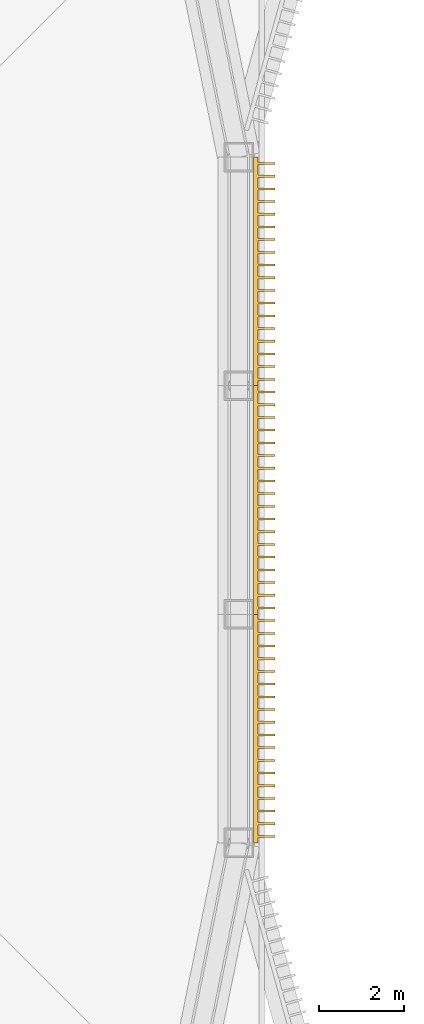
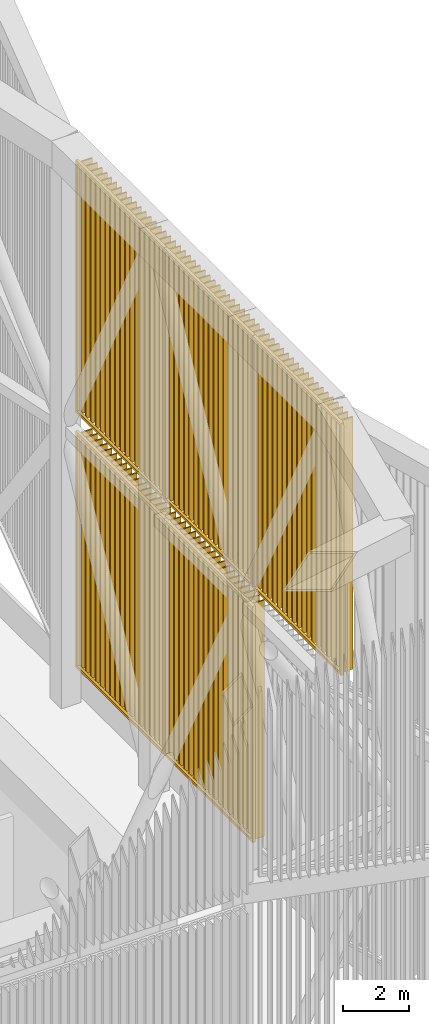
# One storey, part 9 of 13: 5 shading devices.
"""IFC4 building model written with IfcOpenShell, lengths in metres."""

from ifc_helpers import new_model, si_unit, direction, frame, origin, origin_2d, place, context, subcontext, project, spatial, rectangle, extrude, material, layer, layer_set, type_object, element, save


model = new_model("IFC4")

# Units and contexts
model_context = context("Model", 3, precision=1e-05, world=origin(), true_north=direction((0.0, 1.0)))
body_context = subcontext(model_context, "Body", "Model", "MODEL_VIEW")
ifc_project = project(units=[si_unit("LENGTHUNIT", "METRE"), si_unit("AREAUNIT", "SQUARE_METRE"), si_unit("VOLUMEUNIT", "CUBIC_METRE"), si_unit("PLANEANGLEUNIT", "RADIAN"), si_unit("MASSUNIT", "GRAM", prefix="KILO")], contexts=[model_context])

# Site, building, storey
site_placement = place(None, origin())
site = spatial("IfcSite", under=ifc_project, at=site_placement, CompositionType="ELEMENT")
building_placement = place(site_placement, origin())
building = spatial("IfcBuilding", under=site, at=building_placement, Name="Iwan Alto Co-Living Towers", CompositionType="ELEMENT")
storey_placement = place(building_placement, frame((0.0, 0.0, 267.5)))
storey = spatial("IfcBuildingStorey", under=building, at=storey_placement, Name="RF", CompositionType="ELEMENT", Elevation=267.5)

# Shading devices
ifc_material_1 = material(Name="Aluminium 6063-T6 bronze anodised", Category="aluminium")
ifc_layer_1 = layer(ifc_material_1, 0.39990234375, Name="Fins", Category="Finish")
ifc_material_2 = material(Name="Steel ASTM A36 galvanised frame", Category="steel")
ifc_layer_2 = layer(ifc_material_2, 0.10009765625, Name="Panel frame", Category="Framing")
ifc_layer_set = layer_set([ifc_layer_1, ifc_layer_2], Name="CROWN FIN SCREEN PANEL")
shading_device_type = type_object("IfcShadingDeviceType", Name="CROWN FIN SCREEN PANEL", PredefinedType="USERDEFINED", material=ifc_layer_set)
shading_device_1_placement = place(storey_placement, frame((0.0, 0.0, -267.5)))
element("IfcShadingDevice", 1, at=shading_device_1_placement, inside=storey, type_object=shading_device_type, Name="T1 crown fin screen E-01 upper", ObjectType="LOUVER", PredefinedType="USERDEFINED", context=body_context, shape_type="SweptSolid", body=[
    extrude(rectangle(XDim=5.39990234375, YDim=0.10009765625, at=origin_2d()), frame((16.300048828125, -5.39990234375, 278.099853515625), z_axis=(0.0, 0.0, 1.0), x_axis=(0.0, 1.0, 0.0)), (0.0, 0.0, 1.0), 0.10009765625),
    extrude(rectangle(XDim=5.39990234375, YDim=0.10009765625, at=origin_2d()), frame((16.300048828125, -5.39990234375, 287.39990234375), z_axis=(0.0, 0.0, 1.0), x_axis=(0.0, 1.0, 0.0)), (0.0, 0.0, 1.0), 0.10009765625),
    extrude(rectangle(XDim=0.10009765625, YDim=0.10009765625, at=origin_2d()), frame((16.300048828125, -8.050048828125, 278.195068359375), z_axis=(0.0, 0.0, 1.0), x_axis=(0.0, 1.0, 0.0)), (0.0, 0.0, 1.0), 9.2099609375),
    extrude(rectangle(XDim=0.10009765625, YDim=0.10009765625, at=origin_2d()), frame((16.300048828125, -2.75, 278.195068359375), z_axis=(0.0, 0.0, 1.0), x_axis=(0.0, 1.0, 0.0)), (0.0, 0.0, 1.0), 9.2099609375),
    extrude(rectangle(XDim=0.050048828125, YDim=0.405029296875, at=origin_2d()), frame((16.547607421875, -7.949951171875, 278.10009765625), z_axis=(0.0, 0.0, 1.0), x_axis=(0.0, 1.0, 0.0)), (0.0, 0.0, 1.0), 9.39990234375),
    extrude(rectangle(XDim=0.050048828125, YDim=0.405029296875, at=origin_2d()), frame((16.547607421875, -7.64990234375, 278.10009765625), z_axis=(0.0, 0.0, 1.0), x_axis=(0.0, 1.0, 0.0)), (0.0, 0.0, 1.0), 9.39990234375),
    extrude(rectangle(XDim=0.050048828125, YDim=0.405029296875, at=origin_2d()), frame((16.547607421875, -7.35009765625, 278.10009765625), z_axis=(0.0, 0.0, 1.0), x_axis=(0.0, 1.0, 0.0)), (0.0, 0.0, 1.0), 9.39990234375),
    extrude(rectangle(XDim=0.050048828125, YDim=0.405029296875, at=origin_2d()), frame((16.547607421875, -7.050048828125, 278.10009765625), z_axis=(0.0, 0.0, 1.0), x_axis=(0.0, 1.0, 0.0)), (0.0, 0.0, 1.0), 9.39990234375),
    extrude(rectangle(XDim=0.050048828125, YDim=0.405029296875, at=origin_2d()), frame((16.547607421875, -6.75, 278.10009765625), z_axis=(0.0, 0.0, 1.0), x_axis=(0.0, 1.0, 0.0)), (0.0, 0.0, 1.0), 9.39990234375),
    extrude(rectangle(XDim=0.050048828125, YDim=0.405029296875, at=origin_2d()), frame((16.547607421875, -6.449951171875, 278.10009765625), z_axis=(0.0, 0.0, 1.0), x_axis=(0.0, 1.0, 0.0)), (0.0, 0.0, 1.0), 9.39990234375),
    extrude(rectangle(XDim=0.050048828125, YDim=0.405029296875, at=origin_2d()), frame((16.547607421875, -6.14990234375, 278.10009765625), z_axis=(0.0, 0.0, 1.0), x_axis=(0.0, 1.0, 0.0)), (0.0, 0.0, 1.0), 9.39990234375),
    extrude(rectangle(XDim=0.050048828125, YDim=0.405029296875, at=origin_2d()), frame((16.547607421875, -5.85009765625, 278.10009765625), z_axis=(0.0, 0.0, 1.0), x_axis=(0.0, 1.0, 0.0)), (0.0, 0.0, 1.0), 9.39990234375),
    extrude(rectangle(XDim=0.050048828125, YDim=0.405029296875, at=origin_2d()), frame((16.547607421875, -5.550048828125, 278.10009765625), z_axis=(0.0, 0.0, 1.0), x_axis=(0.0, 1.0, 0.0)), (0.0, 0.0, 1.0), 9.39990234375),
    extrude(rectangle(XDim=0.050048828125, YDim=0.405029296875, at=origin_2d()), frame((16.547607421875, -5.25, 278.10009765625), z_axis=(0.0, 0.0, 1.0), x_axis=(0.0, 1.0, 0.0)), (0.0, 0.0, 1.0), 9.39990234375),
    extrude(rectangle(XDim=0.050048828125, YDim=0.405029296875, at=origin_2d()), frame((16.547607421875, -4.949951171875, 278.10009765625), z_axis=(0.0, 0.0, 1.0), x_axis=(0.0, 1.0, 0.0)), (0.0, 0.0, 1.0), 9.39990234375),
    extrude(rectangle(XDim=0.050048828125, YDim=0.405029296875, at=origin_2d()), frame((16.547607421875, -4.64990234375, 278.10009765625), z_axis=(0.0, 0.0, 1.0), x_axis=(0.0, 1.0, 0.0)), (0.0, 0.0, 1.0), 9.39990234375),
    extrude(rectangle(XDim=0.050048828125, YDim=0.405029296875, at=origin_2d()), frame((16.547607421875, -4.35009765625, 278.10009765625), z_axis=(0.0, 0.0, 1.0), x_axis=(0.0, 1.0, 0.0)), (0.0, 0.0, 1.0), 9.39990234375),
    extrude(rectangle(XDim=0.050048828125, YDim=0.405029296875, at=origin_2d()), frame((16.547607421875, -4.050048828125, 278.10009765625), z_axis=(0.0, 0.0, 1.0), x_axis=(0.0, 1.0, 0.0)), (0.0, 0.0, 1.0), 9.39990234375),
    extrude(rectangle(XDim=0.050048828125, YDim=0.405029296875, at=origin_2d()), frame((16.547607421875, -3.75, 278.10009765625), z_axis=(0.0, 0.0, 1.0), x_axis=(0.0, 1.0, 0.0)), (0.0, 0.0, 1.0), 9.39990234375),
    extrude(rectangle(XDim=0.050048828125, YDim=0.405029296875, at=origin_2d()), frame((16.547607421875, -3.449951171875, 278.10009765625), z_axis=(0.0, 0.0, 1.0), x_axis=(0.0, 1.0, 0.0)), (0.0, 0.0, 1.0), 9.39990234375),
    extrude(rectangle(XDim=0.050048828125, YDim=0.405029296875, at=origin_2d()), frame((16.547607421875, -3.14990234375, 278.10009765625), z_axis=(0.0, 0.0, 1.0), x_axis=(0.0, 1.0, 0.0)), (0.0, 0.0, 1.0), 9.39990234375),
    extrude(rectangle(XDim=0.050048828125, YDim=0.405029296875, at=origin_2d()), frame((16.547607421875, -2.85009765625, 278.10009765625), z_axis=(0.0, 0.0, 1.0), x_axis=(0.0, 1.0, 0.0)), (0.0, 0.0, 1.0), 9.39990234375),
])
shading_device_2_placement = place(storey_placement, frame((0.0, 0.0, -267.5)))
element("IfcShadingDevice", 2, at=shading_device_2_placement, inside=storey, type_object=shading_device_type, Name="T1 crown fin screen E-02 lower", ObjectType="LOUVER", PredefinedType="USERDEFINED", context=body_context, shape_type="SweptSolid", body=[
    extrude(rectangle(XDim=5.39990234375, YDim=0.10009765625, at=origin_2d()), frame((16.300048828125, 0.0, 268.599853515625), z_axis=(0.0, 0.0, 1.0), x_axis=(0.0, 1.0, 0.0)), (0.0, 0.0, 1.0), 0.10009765625),
    extrude(rectangle(XDim=5.39990234375, YDim=0.10009765625, at=origin_2d()), frame((16.300048828125, 0.0, 277.300048828125), z_axis=(0.0, 0.0, 1.0), x_axis=(0.0, 1.0, 0.0)), (0.0, 0.0, 1.0), 0.10009765625),
    extrude(rectangle(XDim=0.10009765625, YDim=0.10009765625, at=origin_2d()), frame((16.300048828125, -2.64990234375, 268.69482421875), z_axis=(0.0, 0.0, 1.0), x_axis=(0.0, 1.0, 0.0)), (0.0, 0.0, 1.0), 8.610107421875),
    extrude(rectangle(XDim=0.10009765625, YDim=0.10009765625, at=origin_2d()), frame((16.300048828125, 2.64990234375, 268.69482421875), z_axis=(0.0, 0.0, 1.0), x_axis=(0.0, 1.0, 0.0)), (0.0, 0.0, 1.0), 8.610107421875),
    extrude(rectangle(XDim=0.050048828125, YDim=0.405029296875, at=origin_2d()), frame((16.547607421875, -2.550048828125, 268.60009765625), z_axis=(0.0, 0.0, 1.0), x_axis=(0.0, 1.0, 0.0)), (0.0, 0.0, 1.0), 8.800048828125),
    extrude(rectangle(XDim=0.050048828125, YDim=0.405029296875, at=origin_2d()), frame((16.547607421875, -2.25, 268.60009765625), z_axis=(0.0, 0.0, 1.0), x_axis=(0.0, 1.0, 0.0)), (0.0, 0.0, 1.0), 8.800048828125),
    extrude(rectangle(XDim=0.050048828125, YDim=0.405029296875, at=origin_2d()), frame((16.547607421875, -1.949951171875, 268.60009765625), z_axis=(0.0, 0.0, 1.0), x_axis=(0.0, 1.0, 0.0)), (0.0, 0.0, 1.0), 8.800048828125),
    extrude(rectangle(XDim=0.050048828125, YDim=0.405029296875, at=origin_2d()), frame((16.547607421875, -1.64990234375, 268.60009765625), z_axis=(0.0, 0.0, 1.0), x_axis=(0.0, 1.0, 0.0)), (0.0, 0.0, 1.0), 8.800048828125),
    extrude(rectangle(XDim=0.050048828125, YDim=0.405029296875, at=origin_2d()), frame((16.547607421875, -1.35009765625, 268.60009765625), z_axis=(0.0, 0.0, 1.0), x_axis=(0.0, 1.0, 0.0)), (0.0, 0.0, 1.0), 8.800048828125),
    extrude(rectangle(XDim=0.050048828125, YDim=0.405029296875, at=origin_2d()), frame((16.547607421875, -1.050048828125, 268.60009765625), z_axis=(0.0, 0.0, 1.0), x_axis=(0.0, 1.0, 0.0)), (0.0, 0.0, 1.0), 8.800048828125),
    extrude(rectangle(XDim=0.050048828125, YDim=0.405029296875, at=origin_2d()), frame((16.547607421875, -0.75, 268.60009765625), z_axis=(0.0, 0.0, 1.0), x_axis=(0.0, 1.0, 0.0)), (0.0, 0.0, 1.0), 8.800048828125),
    extrude(rectangle(XDim=0.050048828125, YDim=0.405029296875, at=origin_2d()), frame((16.547607421875, -0.449951171875, 268.60009765625), z_axis=(0.0, 0.0, 1.0), x_axis=(0.0, 1.0, 0.0)), (0.0, 0.0, 1.0), 8.800048828125),
    extrude(rectangle(XDim=0.050048828125, YDim=0.405029296875, at=origin_2d()), frame((16.547607421875, -0.14990234375, 268.60009765625), z_axis=(0.0, 0.0, 1.0), x_axis=(0.0, 1.0, 0.0)), (0.0, 0.0, 1.0), 8.800048828125),
    extrude(rectangle(XDim=0.050048828125, YDim=0.405029296875, at=origin_2d()), frame((16.547607421875, 0.14990234375, 268.60009765625), z_axis=(0.0, 0.0, 1.0), x_axis=(0.0, 1.0, 0.0)), (0.0, 0.0, 1.0), 8.800048828125),
    extrude(rectangle(XDim=0.050048828125, YDim=0.405029296875, at=origin_2d()), frame((16.547607421875, 0.449951171875, 268.60009765625), z_axis=(0.0, 0.0, 1.0), x_axis=(0.0, 1.0, 0.0)), (0.0, 0.0, 1.0), 8.800048828125),
    extrude(rectangle(XDim=0.050048828125, YDim=0.405029296875, at=origin_2d()), frame((16.547607421875, 0.75, 268.60009765625), z_axis=(0.0, 0.0, 1.0), x_axis=(0.0, 1.0, 0.0)), (0.0, 0.0, 1.0), 8.800048828125),
    extrude(rectangle(XDim=0.050048828125, YDim=0.405029296875, at=origin_2d()), frame((16.547607421875, 1.050048828125, 268.60009765625), z_axis=(0.0, 0.0, 1.0), x_axis=(0.0, 1.0, 0.0)), (0.0, 0.0, 1.0), 8.800048828125),
    extrude(rectangle(XDim=0.050048828125, YDim=0.405029296875, at=origin_2d()), frame((16.547607421875, 1.35009765625, 268.60009765625), z_axis=(0.0, 0.0, 1.0), x_axis=(0.0, 1.0, 0.0)), (0.0, 0.0, 1.0), 8.800048828125),
    extrude(rectangle(XDim=0.050048828125, YDim=0.405029296875, at=origin_2d()), frame((16.547607421875, 1.64990234375, 268.60009765625), z_axis=(0.0, 0.0, 1.0), x_axis=(0.0, 1.0, 0.0)), (0.0, 0.0, 1.0), 8.800048828125),
    extrude(rectangle(XDim=0.050048828125, YDim=0.405029296875, at=origin_2d()), frame((16.547607421875, 1.949951171875, 268.60009765625), z_axis=(0.0, 0.0, 1.0), x_axis=(0.0, 1.0, 0.0)), (0.0, 0.0, 1.0), 8.800048828125),
    extrude(rectangle(XDim=0.050048828125, YDim=0.405029296875, at=origin_2d()), frame((16.547607421875, 2.25, 268.60009765625), z_axis=(0.0, 0.0, 1.0), x_axis=(0.0, 1.0, 0.0)), (0.0, 0.0, 1.0), 8.800048828125),
    extrude(rectangle(XDim=0.050048828125, YDim=0.405029296875, at=origin_2d()), frame((16.547607421875, 2.550048828125, 268.60009765625), z_axis=(0.0, 0.0, 1.0), x_axis=(0.0, 1.0, 0.0)), (0.0, 0.0, 1.0), 8.800048828125),
])
shading_device_3_placement = place(storey_placement, frame((0.0, 0.0, -267.5)))
element("IfcShadingDevice", 3, at=shading_device_3_placement, inside=storey, type_object=shading_device_type, Name="T1 crown fin screen E-02 upper", ObjectType="LOUVER", PredefinedType="USERDEFINED", context=body_context, shape_type="SweptSolid", body=[
    extrude(rectangle(XDim=5.39990234375, YDim=0.10009765625, at=origin_2d()), frame((16.300048828125, 0.0, 278.099853515625), z_axis=(0.0, 0.0, 1.0), x_axis=(0.0, 1.0, 0.0)), (0.0, 0.0, 1.0), 0.10009765625),
    extrude(rectangle(XDim=5.39990234375, YDim=0.10009765625, at=origin_2d()), frame((16.300048828125, 0.0, 287.39990234375), z_axis=(0.0, 0.0, 1.0), x_axis=(0.0, 1.0, 0.0)), (0.0, 0.0, 1.0), 0.10009765625),
    extrude(rectangle(XDim=0.10009765625, YDim=0.10009765625, at=origin_2d()), frame((16.300048828125, -2.64990234375, 278.195068359375), z_axis=(0.0, 0.0, 1.0), x_axis=(0.0, 1.0, 0.0)), (0.0, 0.0, 1.0), 9.2099609375),
    extrude(rectangle(XDim=0.10009765625, YDim=0.10009765625, at=origin_2d()), frame((16.300048828125, 2.64990234375, 278.195068359375), z_axis=(0.0, 0.0, 1.0), x_axis=(0.0, 1.0, 0.0)), (0.0, 0.0, 1.0), 9.2099609375),
    extrude(rectangle(XDim=0.050048828125, YDim=0.405029296875, at=origin_2d()), frame((16.547607421875, -2.550048828125, 278.10009765625), z_axis=(0.0, 0.0, 1.0), x_axis=(0.0, 1.0, 0.0)), (0.0, 0.0, 1.0), 9.39990234375),
    extrude(rectangle(XDim=0.050048828125, YDim=0.405029296875, at=origin_2d()), frame((16.547607421875, -2.25, 278.10009765625), z_axis=(0.0, 0.0, 1.0), x_axis=(0.0, 1.0, 0.0)), (0.0, 0.0, 1.0), 9.39990234375),
    extrude(rectangle(XDim=0.050048828125, YDim=0.405029296875, at=origin_2d()), frame((16.547607421875, -1.949951171875, 278.10009765625), z_axis=(0.0, 0.0, 1.0), x_axis=(0.0, 1.0, 0.0)), (0.0, 0.0, 1.0), 9.39990234375),
    extrude(rectangle(XDim=0.050048828125, YDim=0.405029296875, at=origin_2d()), frame((16.547607421875, -1.64990234375, 278.10009765625), z_axis=(0.0, 0.0, 1.0), x_axis=(0.0, 1.0, 0.0)), (0.0, 0.0, 1.0), 9.39990234375),
    extrude(rectangle(XDim=0.050048828125, YDim=0.405029296875, at=origin_2d()), frame((16.547607421875, -1.35009765625, 278.10009765625), z_axis=(0.0, 0.0, 1.0), x_axis=(0.0, 1.0, 0.0)), (0.0, 0.0, 1.0), 9.39990234375),
    extrude(rectangle(XDim=0.050048828125, YDim=0.405029296875, at=origin_2d()), frame((16.547607421875, -1.050048828125, 278.10009765625), z_axis=(0.0, 0.0, 1.0), x_axis=(0.0, 1.0, 0.0)), (0.0, 0.0, 1.0), 9.39990234375),
    extrude(rectangle(XDim=0.050048828125, YDim=0.405029296875, at=origin_2d()), frame((16.547607421875, -0.75, 278.10009765625), z_axis=(0.0, 0.0, 1.0), x_axis=(0.0, 1.0, 0.0)), (0.0, 0.0, 1.0), 9.39990234375),
    extrude(rectangle(XDim=0.050048828125, YDim=0.405029296875, at=origin_2d()), frame((16.547607421875, -0.449951171875, 278.10009765625), z_axis=(0.0, 0.0, 1.0), x_axis=(0.0, 1.0, 0.0)), (0.0, 0.0, 1.0), 9.39990234375),
    extrude(rectangle(XDim=0.050048828125, YDim=0.405029296875, at=origin_2d()), frame((16.547607421875, -0.14990234375, 278.10009765625), z_axis=(0.0, 0.0, 1.0), x_axis=(0.0, 1.0, 0.0)), (0.0, 0.0, 1.0), 9.39990234375),
    extrude(rectangle(XDim=0.050048828125, YDim=0.405029296875, at=origin_2d()), frame((16.547607421875, 0.14990234375, 278.10009765625), z_axis=(0.0, 0.0, 1.0), x_axis=(0.0, 1.0, 0.0)), (0.0, 0.0, 1.0), 9.39990234375),
    extrude(rectangle(XDim=0.050048828125, YDim=0.405029296875, at=origin_2d()), frame((16.547607421875, 0.449951171875, 278.10009765625), z_axis=(0.0, 0.0, 1.0), x_axis=(0.0, 1.0, 0.0)), (0.0, 0.0, 1.0), 9.39990234375),
    extrude(rectangle(XDim=0.050048828125, YDim=0.405029296875, at=origin_2d()), frame((16.547607421875, 0.75, 278.10009765625), z_axis=(0.0, 0.0, 1.0), x_axis=(0.0, 1.0, 0.0)), (0.0, 0.0, 1.0), 9.39990234375),
    extrude(rectangle(XDim=0.050048828125, YDim=0.405029296875, at=origin_2d()), frame((16.547607421875, 1.050048828125, 278.10009765625), z_axis=(0.0, 0.0, 1.0), x_axis=(0.0, 1.0, 0.0)), (0.0, 0.0, 1.0), 9.39990234375),
    extrude(rectangle(XDim=0.050048828125, YDim=0.405029296875, at=origin_2d()), frame((16.547607421875, 1.35009765625, 278.10009765625), z_axis=(0.0, 0.0, 1.0), x_axis=(0.0, 1.0, 0.0)), (0.0, 0.0, 1.0), 9.39990234375),
    extrude(rectangle(XDim=0.050048828125, YDim=0.405029296875, at=origin_2d()), frame((16.547607421875, 1.64990234375, 278.10009765625), z_axis=(0.0, 0.0, 1.0), x_axis=(0.0, 1.0, 0.0)), (0.0, 0.0, 1.0), 9.39990234375),
    extrude(rectangle(XDim=0.050048828125, YDim=0.405029296875, at=origin_2d()), frame((16.547607421875, 1.949951171875, 278.10009765625), z_axis=(0.0, 0.0, 1.0), x_axis=(0.0, 1.0, 0.0)), (0.0, 0.0, 1.0), 9.39990234375),
    extrude(rectangle(XDim=0.050048828125, YDim=0.405029296875, at=origin_2d()), frame((16.547607421875, 2.25, 278.10009765625), z_axis=(0.0, 0.0, 1.0), x_axis=(0.0, 1.0, 0.0)), (0.0, 0.0, 1.0), 9.39990234375),
    extrude(rectangle(XDim=0.050048828125, YDim=0.405029296875, at=origin_2d()), frame((16.547607421875, 2.550048828125, 278.10009765625), z_axis=(0.0, 0.0, 1.0), x_axis=(0.0, 1.0, 0.0)), (0.0, 0.0, 1.0), 9.39990234375),
])
shading_device_4_placement = place(storey_placement, frame((0.0, 0.0, -267.5)))
element("IfcShadingDevice", 4, at=shading_device_4_placement, inside=storey, type_object=shading_device_type, Name="T1 crown fin screen E-03 lower", ObjectType="LOUVER", PredefinedType="USERDEFINED", context=body_context, shape_type="SweptSolid", body=[
    extrude(rectangle(XDim=5.39990234375, YDim=0.10009765625, at=origin_2d()), frame((16.300048828125, 5.39990234375, 268.599853515625), z_axis=(0.0, 0.0, 1.0), x_axis=(0.0, 1.0, 0.0)), (0.0, 0.0, 1.0), 0.10009765625),
    extrude(rectangle(XDim=5.39990234375, YDim=0.10009765625, at=origin_2d()), frame((16.300048828125, 5.39990234375, 277.300048828125), z_axis=(0.0, 0.0, 1.0), x_axis=(0.0, 1.0, 0.0)), (0.0, 0.0, 1.0), 0.10009765625),
    extrude(rectangle(XDim=0.10009765625, YDim=0.10009765625, at=origin_2d()), frame((16.300048828125, 2.75, 268.69482421875), z_axis=(0.0, 0.0, 1.0), x_axis=(0.0, 1.0, 0.0)), (0.0, 0.0, 1.0), 8.610107421875),
    extrude(rectangle(XDim=0.10009765625, YDim=0.10009765625, at=origin_2d()), frame((16.300048828125, 8.050048828125, 268.69482421875), z_axis=(0.0, 0.0, 1.0), x_axis=(0.0, 1.0, 0.0)), (0.0, 0.0, 1.0), 8.610107421875),
    extrude(rectangle(XDim=0.050048828125, YDim=0.405029296875, at=origin_2d()), frame((16.547607421875, 2.85009765625, 268.60009765625), z_axis=(0.0, 0.0, 1.0), x_axis=(0.0, 1.0, 0.0)), (0.0, 0.0, 1.0), 8.800048828125),
    extrude(rectangle(XDim=0.050048828125, YDim=0.405029296875, at=origin_2d()), frame((16.547607421875, 3.14990234375, 268.60009765625), z_axis=(0.0, 0.0, 1.0), x_axis=(0.0, 1.0, 0.0)), (0.0, 0.0, 1.0), 8.800048828125),
    extrude(rectangle(XDim=0.050048828125, YDim=0.405029296875, at=origin_2d()), frame((16.547607421875, 3.449951171875, 268.60009765625), z_axis=(0.0, 0.0, 1.0), x_axis=(0.0, 1.0, 0.0)), (0.0, 0.0, 1.0), 8.800048828125),
    extrude(rectangle(XDim=0.050048828125, YDim=0.405029296875, at=origin_2d()), frame((16.547607421875, 3.75, 268.60009765625), z_axis=(0.0, 0.0, 1.0), x_axis=(0.0, 1.0, 0.0)), (0.0, 0.0, 1.0), 8.800048828125),
    extrude(rectangle(XDim=0.050048828125, YDim=0.405029296875, at=origin_2d()), frame((16.547607421875, 4.050048828125, 268.60009765625), z_axis=(0.0, 0.0, 1.0), x_axis=(0.0, 1.0, 0.0)), (0.0, 0.0, 1.0), 8.800048828125),
    extrude(rectangle(XDim=0.050048828125, YDim=0.405029296875, at=origin_2d()), frame((16.547607421875, 4.35009765625, 268.60009765625), z_axis=(0.0, 0.0, 1.0), x_axis=(0.0, 1.0, 0.0)), (0.0, 0.0, 1.0), 8.800048828125),
    extrude(rectangle(XDim=0.050048828125, YDim=0.405029296875, at=origin_2d()), frame((16.547607421875, 4.64990234375, 268.60009765625), z_axis=(0.0, 0.0, 1.0), x_axis=(0.0, 1.0, 0.0)), (0.0, 0.0, 1.0), 8.800048828125),
    extrude(rectangle(XDim=0.050048828125, YDim=0.405029296875, at=origin_2d()), frame((16.547607421875, 4.949951171875, 268.60009765625), z_axis=(0.0, 0.0, 1.0), x_axis=(0.0, 1.0, 0.0)), (0.0, 0.0, 1.0), 8.800048828125),
    extrude(rectangle(XDim=0.050048828125, YDim=0.405029296875, at=origin_2d()), frame((16.547607421875, 5.25, 268.60009765625), z_axis=(0.0, 0.0, 1.0), x_axis=(0.0, 1.0, 0.0)), (0.0, 0.0, 1.0), 8.800048828125),
    extrude(rectangle(XDim=0.050048828125, YDim=0.405029296875, at=origin_2d()), frame((16.547607421875, 5.550048828125, 268.60009765625), z_axis=(0.0, 0.0, 1.0), x_axis=(0.0, 1.0, 0.0)), (0.0, 0.0, 1.0), 8.800048828125),
    extrude(rectangle(XDim=0.050048828125, YDim=0.405029296875, at=origin_2d()), frame((16.547607421875, 5.85009765625, 268.60009765625), z_axis=(0.0, 0.0, 1.0), x_axis=(0.0, 1.0, 0.0)), (0.0, 0.0, 1.0), 8.800048828125),
    extrude(rectangle(XDim=0.050048828125, YDim=0.405029296875, at=origin_2d()), frame((16.547607421875, 6.14990234375, 268.60009765625), z_axis=(0.0, 0.0, 1.0), x_axis=(0.0, 1.0, 0.0)), (0.0, 0.0, 1.0), 8.800048828125),
    extrude(rectangle(XDim=0.050048828125, YDim=0.405029296875, at=origin_2d()), frame((16.547607421875, 6.449951171875, 268.60009765625), z_axis=(0.0, 0.0, 1.0), x_axis=(0.0, 1.0, 0.0)), (0.0, 0.0, 1.0), 8.800048828125),
    extrude(rectangle(XDim=0.050048828125, YDim=0.405029296875, at=origin_2d()), frame((16.547607421875, 6.75, 268.60009765625), z_axis=(0.0, 0.0, 1.0), x_axis=(0.0, 1.0, 0.0)), (0.0, 0.0, 1.0), 8.800048828125),
    extrude(rectangle(XDim=0.050048828125, YDim=0.405029296875, at=origin_2d()), frame((16.547607421875, 7.050048828125, 268.60009765625), z_axis=(0.0, 0.0, 1.0), x_axis=(0.0, 1.0, 0.0)), (0.0, 0.0, 1.0), 8.800048828125),
    extrude(rectangle(XDim=0.050048828125, YDim=0.405029296875, at=origin_2d()), frame((16.547607421875, 7.35009765625, 268.60009765625), z_axis=(0.0, 0.0, 1.0), x_axis=(0.0, 1.0, 0.0)), (0.0, 0.0, 1.0), 8.800048828125),
    extrude(rectangle(XDim=0.050048828125, YDim=0.405029296875, at=origin_2d()), frame((16.547607421875, 7.64990234375, 268.60009765625), z_axis=(0.0, 0.0, 1.0), x_axis=(0.0, 1.0, 0.0)), (0.0, 0.0, 1.0), 8.800048828125),
    extrude(rectangle(XDim=0.050048828125, YDim=0.405029296875, at=origin_2d()), frame((16.547607421875, 7.949951171875, 268.60009765625), z_axis=(0.0, 0.0, 1.0), x_axis=(0.0, 1.0, 0.0)), (0.0, 0.0, 1.0), 8.800048828125),
])
shading_device_5_placement = place(storey_placement, frame((0.0, 0.0, -267.5)))
element("IfcShadingDevice", 5, at=shading_device_5_placement, inside=storey, type_object=shading_device_type, Name="T1 crown fin screen E-03 upper", ObjectType="LOUVER", PredefinedType="USERDEFINED", context=body_context, shape_type="SweptSolid", body=[
    extrude(rectangle(XDim=5.39990234375, YDim=0.10009765625, at=origin_2d()), frame((16.300048828125, 5.39990234375, 278.099853515625), z_axis=(0.0, 0.0, 1.0), x_axis=(0.0, 1.0, 0.0)), (0.0, 0.0, 1.0), 0.10009765625),
    extrude(rectangle(XDim=5.39990234375, YDim=0.10009765625, at=origin_2d()), frame((16.300048828125, 5.39990234375, 287.39990234375), z_axis=(0.0, 0.0, 1.0), x_axis=(0.0, 1.0, 0.0)), (0.0, 0.0, 1.0), 0.10009765625),
    extrude(rectangle(XDim=0.10009765625, YDim=0.10009765625, at=origin_2d()), frame((16.300048828125, 2.75, 278.195068359375), z_axis=(0.0, 0.0, 1.0), x_axis=(0.0, 1.0, 0.0)), (0.0, 0.0, 1.0), 9.2099609375),
    extrude(rectangle(XDim=0.10009765625, YDim=0.10009765625, at=origin_2d()), frame((16.300048828125, 8.050048828125, 278.195068359375), z_axis=(0.0, 0.0, 1.0), x_axis=(0.0, 1.0, 0.0)), (0.0, 0.0, 1.0), 9.2099609375),
    extrude(rectangle(XDim=0.050048828125, YDim=0.405029296875, at=origin_2d()), frame((16.547607421875, 2.85009765625, 278.10009765625), z_axis=(0.0, 0.0, 1.0), x_axis=(0.0, 1.0, 0.0)), (0.0, 0.0, 1.0), 9.39990234375),
    extrude(rectangle(XDim=0.050048828125, YDim=0.405029296875, at=origin_2d()), frame((16.547607421875, 3.14990234375, 278.10009765625), z_axis=(0.0, 0.0, 1.0), x_axis=(0.0, 1.0, 0.0)), (0.0, 0.0, 1.0), 9.39990234375),
    extrude(rectangle(XDim=0.050048828125, YDim=0.405029296875, at=origin_2d()), frame((16.547607421875, 3.449951171875, 278.10009765625), z_axis=(0.0, 0.0, 1.0), x_axis=(0.0, 1.0, 0.0)), (0.0, 0.0, 1.0), 9.39990234375),
    extrude(rectangle(XDim=0.050048828125, YDim=0.405029296875, at=origin_2d()), frame((16.547607421875, 3.75, 278.10009765625), z_axis=(0.0, 0.0, 1.0), x_axis=(0.0, 1.0, 0.0)), (0.0, 0.0, 1.0), 9.39990234375),
    extrude(rectangle(XDim=0.050048828125, YDim=0.405029296875, at=origin_2d()), frame((16.547607421875, 4.050048828125, 278.10009765625), z_axis=(0.0, 0.0, 1.0), x_axis=(0.0, 1.0, 0.0)), (0.0, 0.0, 1.0), 9.39990234375),
    extrude(rectangle(XDim=0.050048828125, YDim=0.405029296875, at=origin_2d()), frame((16.547607421875, 4.35009765625, 278.10009765625), z_axis=(0.0, 0.0, 1.0), x_axis=(0.0, 1.0, 0.0)), (0.0, 0.0, 1.0), 9.39990234375),
    extrude(rectangle(XDim=0.050048828125, YDim=0.405029296875, at=origin_2d()), frame((16.547607421875, 4.64990234375, 278.10009765625), z_axis=(0.0, 0.0, 1.0), x_axis=(0.0, 1.0, 0.0)), (0.0, 0.0, 1.0), 9.39990234375),
    extrude(rectangle(XDim=0.050048828125, YDim=0.405029296875, at=origin_2d()), frame((16.547607421875, 4.949951171875, 278.10009765625), z_axis=(0.0, 0.0, 1.0), x_axis=(0.0, 1.0, 0.0)), (0.0, 0.0, 1.0), 9.39990234375),
    extrude(rectangle(XDim=0.050048828125, YDim=0.405029296875, at=origin_2d()), frame((16.547607421875, 5.25, 278.10009765625), z_axis=(0.0, 0.0, 1.0), x_axis=(0.0, 1.0, 0.0)), (0.0, 0.0, 1.0), 9.39990234375),
    extrude(rectangle(XDim=0.050048828125, YDim=0.405029296875, at=origin_2d()), frame((16.547607421875, 5.550048828125, 278.10009765625), z_axis=(0.0, 0.0, 1.0), x_axis=(0.0, 1.0, 0.0)), (0.0, 0.0, 1.0), 9.39990234375),
    extrude(rectangle(XDim=0.050048828125, YDim=0.405029296875, at=origin_2d()), frame((16.547607421875, 5.85009765625, 278.10009765625), z_axis=(0.0, 0.0, 1.0), x_axis=(0.0, 1.0, 0.0)), (0.0, 0.0, 1.0), 9.39990234375),
    extrude(rectangle(XDim=0.050048828125, YDim=0.405029296875, at=origin_2d()), frame((16.547607421875, 6.14990234375, 278.10009765625), z_axis=(0.0, 0.0, 1.0), x_axis=(0.0, 1.0, 0.0)), (0.0, 0.0, 1.0), 9.39990234375),
    extrude(rectangle(XDim=0.050048828125, YDim=0.405029296875, at=origin_2d()), frame((16.547607421875, 6.449951171875, 278.10009765625), z_axis=(0.0, 0.0, 1.0), x_axis=(0.0, 1.0, 0.0)), (0.0, 0.0, 1.0), 9.39990234375),
    extrude(rectangle(XDim=0.050048828125, YDim=0.405029296875, at=origin_2d()), frame((16.547607421875, 6.75, 278.10009765625), z_axis=(0.0, 0.0, 1.0), x_axis=(0.0, 1.0, 0.0)), (0.0, 0.0, 1.0), 9.39990234375),
    extrude(rectangle(XDim=0.050048828125, YDim=0.405029296875, at=origin_2d()), frame((16.547607421875, 7.050048828125, 278.10009765625), z_axis=(0.0, 0.0, 1.0), x_axis=(0.0, 1.0, 0.0)), (0.0, 0.0, 1.0), 9.39990234375),
    extrude(rectangle(XDim=0.050048828125, YDim=0.405029296875, at=origin_2d()), frame((16.547607421875, 7.35009765625, 278.10009765625), z_axis=(0.0, 0.0, 1.0), x_axis=(0.0, 1.0, 0.0)), (0.0, 0.0, 1.0), 9.39990234375),
    extrude(rectangle(XDim=0.050048828125, YDim=0.405029296875, at=origin_2d()), frame((16.547607421875, 7.64990234375, 278.10009765625), z_axis=(0.0, 0.0, 1.0), x_axis=(0.0, 1.0, 0.0)), (0.0, 0.0, 1.0), 9.39990234375),
    extrude(rectangle(XDim=0.050048828125, YDim=0.405029296875, at=origin_2d()), frame((16.547607421875, 7.949951171875, 278.10009765625), z_axis=(0.0, 0.0, 1.0), x_axis=(0.0, 1.0, 0.0)), (0.0, 0.0, 1.0), 9.39990234375),
])

save(model, "model.ifc")
